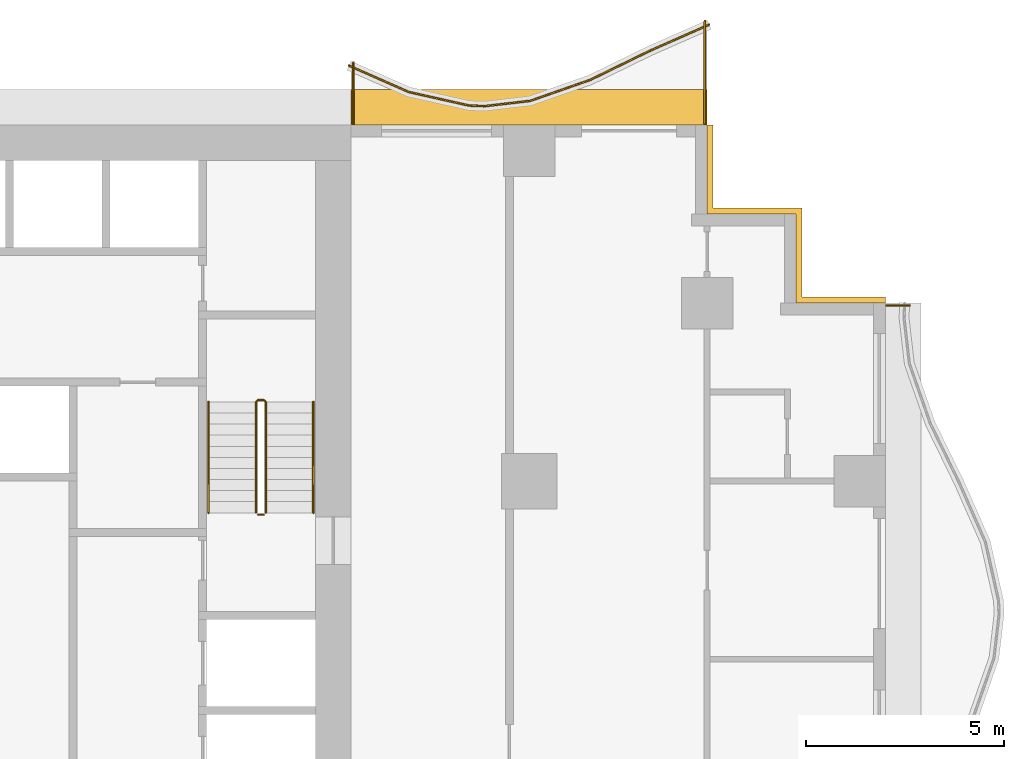
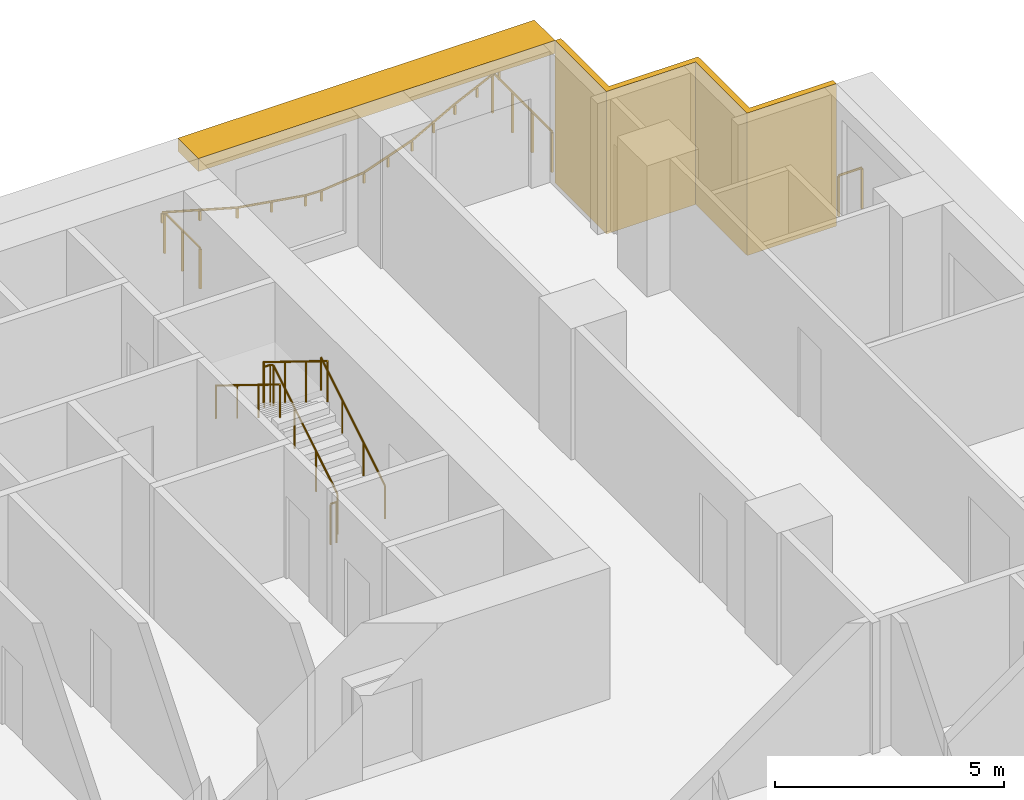
# One storey, part 14 of 14: 8 railings, 2 shading devices.
"""IFC4 building model written with IfcOpenShell, lengths in metres."""

from ifc_helpers import new_model, si_unit, direction, frame, origin, origin_2d, place, context, subcontext, project, spatial, polyline, rectangle, circle, outline, extrude, material, layer, layer_set, type_object, element, save


model = new_model("IFC4")

# Units and contexts
model_context = context("Model", 3, precision=1e-05, world=origin(), true_north=direction((0.0, 1.0)))
body_context = subcontext(model_context, "Body", "Model", "MODEL_VIEW")
ifc_project = project(units=[si_unit("LENGTHUNIT", "METRE"), si_unit("AREAUNIT", "SQUARE_METRE"), si_unit("VOLUMEUNIT", "CUBIC_METRE"), si_unit("PLANEANGLEUNIT", "RADIAN"), si_unit("MASSUNIT", "GRAM", prefix="KILO")], contexts=[model_context])

# Site, building, storey
site_placement = place(None, origin())
site = spatial("IfcSite", under=ifc_project, at=site_placement, CompositionType="ELEMENT")
building_placement = place(site_placement, origin())
building = spatial("IfcBuilding", under=site, at=building_placement, Name="Orbiselva Terraces", CompositionType="ELEMENT")
storey_placement = place(building_placement, frame((0.0, 0.0, 88.4)))
storey = spatial("IfcBuildingStorey", under=building, at=storey_placement, Name="L22", CompositionType="ELEMENT", Elevation=88.4)

# Railings
ifc_material_1 = material(Name="Stainless steel", Category="steel")
railing_type_1 = type_object("IfcRailingType", Name="CORE-GUARD-1100", PredefinedType="GUARDRAIL", material=ifc_material_1)
railing_1_placement = place(storey_placement, frame((11.35, 12.7, 0.172727)))
element("IfcRailing", 1, at=railing_1_placement, inside=storey, type_object=railing_type_1, Name="L22 S2 stair guard 1", PredefinedType="GUARDRAIL", context=body_context, shape_type="SweptSolid", body=[
    extrude(circle(Radius=0.024, at=origin_2d()), frame((0.0, 0.0, 1.081), z_axis=(0.0, 0.851088519012, 0.52502222125), x_axis=(-1.0, 0.0, 0.0)), (0.0, 0.0, 1.0), 3.289905),
    extrude(circle(Radius=0.024, at=origin_2d()), frame((0.0, 2.8, 2.808273), z_axis=(-0.707106781187, 0.707106781187, 0.0), x_axis=(-0.707106781187, -0.707106781187, 0.0)), (0.0, 0.0, 1.0), 0.070711),
    extrude(circle(Radius=0.024, at=origin_2d()), frame((-0.05, 2.85, 2.808273), z_axis=(-1.0, 0.0, 0.0), x_axis=(0.0, -1.0, 0.0)), (0.0, 0.0, 1.0), 0.15),
    extrude(circle(Radius=0.024, at=origin_2d()), frame((-0.2, 2.85, 2.808273), z_axis=(-0.267894925557, -0.267894925557, 0.925453736133), x_axis=(0.707106781187, -0.707106781187, 0.0)), (0.0, 0.0, 1.0), 0.18664),
    extrude(circle(Radius=0.024, at=origin_2d()), frame((-0.25, 2.8, 2.981), z_axis=(0.0, -0.851088519012, 0.52502222125), x_axis=(1.0, 0.0, 0.0)), (0.0, 0.0, 1.0), 3.289905),
    extrude(circle(Radius=0.021, at=origin_2d()), origin(), (0.0, 0.0, 1.0), 1.057),
    extrude(circle(Radius=0.021, at=origin_2d()), frame((0.0, 0.933333, 0.575758)), (0.0, 0.0, 1.0), 1.057),
    extrude(circle(Radius=0.021, at=origin_2d()), frame((0.0, 1.866667, 1.151515)), (0.0, 0.0, 1.0), 1.057),
    extrude(circle(Radius=0.021, at=origin_2d()), frame((0.0, 2.8, 1.727273)), (0.0, 0.0, 1.0), 1.057),
    extrude(circle(Radius=0.021, at=origin_2d()), frame((-0.05, 2.85, 1.727273)), (0.0, 0.0, 1.0), 1.057),
    extrude(circle(Radius=0.021, at=origin_2d()), frame((-0.2, 2.85, 1.727273)), (0.0, 0.0, 1.0), 1.057),
    extrude(circle(Radius=0.021, at=origin_2d()), frame((-0.25, 2.8, 1.9)), (0.0, 0.0, 1.0), 1.057),
    extrude(circle(Radius=0.021, at=origin_2d()), frame((-0.25, 1.866667, 2.475758)), (0.0, 0.0, 1.0), 1.057),
    extrude(circle(Radius=0.021, at=origin_2d()), frame((-0.25, 0.933333, 3.051515)), (0.0, 0.0, 1.0), 1.057),
    extrude(circle(Radius=0.021, at=origin_2d()), frame((-0.25, 0.0, 3.627273)), (0.0, 0.0, 1.0), 1.057),
])
railing_2_placement = place(storey_placement, frame((11.3, 12.65, 0.0)))
element("IfcRailing", 2, at=railing_2_placement, inside=storey, type_object=railing_type_1, Name="L22 S2 stair guard 2", PredefinedType="GUARDRAIL", context=body_context, shape_type="SweptSolid", body=[
    extrude(circle(Radius=0.024, at=origin_2d()), frame((0.0, 0.0, 1.081), z_axis=(-1.0, 0.0, 0.0), x_axis=(0.0, -1.0, 0.0)), (0.0, 0.0, 1.0), 0.15),
    extrude(circle(Radius=0.021, at=origin_2d()), origin(), (0.0, 0.0, 1.0), 1.057),
    extrude(circle(Radius=0.021, at=origin_2d()), frame((-0.15, 0.0, 0.0)), (0.0, 0.0, 1.0), 1.057),
])
railing_type_2 = type_object("IfcRailingType", Name="CORE-HANDRAIL-900", PredefinedType="HANDRAIL", material=ifc_material_1)
railing_3_placement = place(storey_placement, frame((12.55, 12.7, 0.172727)))
element("IfcRailing", 3, at=railing_3_placement, inside=storey, type_object=railing_type_2, Name="L22 S2 stair handrail 1", PredefinedType="HANDRAIL", context=body_context, shape_type="SweptSolid", body=[
    extrude(circle(Radius=0.024, at=origin_2d()), frame((0.0, 0.0, 0.876), z_axis=(0.0, 0.851088519012, 0.52502222125), x_axis=(-1.0, 0.0, 0.0)), (0.0, 0.0, 1.0), 3.289905),
    extrude(circle(Radius=0.021, at=origin_2d()), origin(), (0.0, 0.0, 1.0), 0.852),
    extrude(circle(Radius=0.021, at=origin_2d()), frame((0.0, 0.933333, 0.575758)), (0.0, 0.0, 1.0), 0.852),
    extrude(circle(Radius=0.021, at=origin_2d()), frame((0.0, 1.866667, 1.151515)), (0.0, 0.0, 1.0), 0.852),
    extrude(circle(Radius=0.021, at=origin_2d()), frame((0.0, 2.8, 1.727273)), (0.0, 0.0, 1.0), 0.852),
])
railing_4_placement = place(storey_placement, frame((9.9, 15.5, 2.072727)))
element("IfcRailing", 4, at=railing_4_placement, inside=storey, type_object=railing_type_2, Name="L22 S2 stair handrail 2", PredefinedType="HANDRAIL", context=body_context, shape_type="SweptSolid", body=[
    extrude(circle(Radius=0.024, at=origin_2d()), frame((0.0, 0.0, 0.876), z_axis=(0.0, -0.851088519012, 0.52502222125), x_axis=(1.0, 0.0, 0.0)), (0.0, 0.0, 1.0), 3.289905),
    extrude(circle(Radius=0.021, at=origin_2d()), origin(), (0.0, 0.0, 1.0), 0.852),
    extrude(circle(Radius=0.021, at=origin_2d()), frame((0.0, -0.933333, 0.575758)), (0.0, 0.0, 1.0), 0.852),
    extrude(circle(Radius=0.021, at=origin_2d()), frame((0.0, -1.866667, 1.151515)), (0.0, 0.0, 1.0), 0.852),
    extrude(circle(Radius=0.021, at=origin_2d()), frame((0.0, -2.8, 1.727273)), (0.0, 0.0, 1.0), 0.852),
])
ifc_material_2 = material(Name="Bonded two-ply safety glass balustrade, stainless steel posts", Category="steel")
railing_type_3 = type_object("IfcRailingType", Name="ENV-BALUSTRADE-1200", PredefinedType="BALUSTRADE", material=ifc_material_2)
railing_5_placement = place(storey_placement, frame((22.550394, 25.034136, 0.9)))
element("IfcRailing", 5, at=railing_5_placement, inside=storey, type_object=railing_type_3, Name="Balcony balustrade L22 NE", PredefinedType="BALUSTRADE", context=body_context, shape_type="SweptSolid", body=[
    extrude(outline(polyline([(0.028868, 0.0), (0.014434, 0.025), (-0.014434, 0.025), (-0.028868, 0.0), (-0.014434, -0.025), (0.014434, -0.025), (0.028868, 0.0)])), frame((0.0, 0.0, 0.275), z_axis=(-0.915133498047, -0.403150940408, 0.0), x_axis=(0.403150940408, -0.915133498047, 0.0)), (0.0, 0.0, 1.0), 1.636648),
    extrude(outline(polyline([(0.028868, 0.0), (0.014434, 0.025), (-0.014434, 0.025), (-0.028868, 0.0), (-0.014434, -0.025), (0.014434, -0.025), (0.028868, 0.0)])), frame((-1.497751, -0.659816, 0.275), z_axis=(-0.898578870221, -0.438812048596, 0.0), x_axis=(0.438812048596, -0.898578870221, 0.0)), (0.0, 0.0, 1.0), 1.674225),
    extrude(outline(polyline([(0.028868, 0.0), (0.014434, 0.025), (-0.014434, 0.025), (-0.028868, 0.0), (-0.014434, -0.025), (0.014434, -0.025), (0.028868, 0.0)])), frame((-3.002174, -1.394486, 0.275), z_axis=(-0.943972332783, -0.330024597479, 0.0), x_axis=(0.330024597479, -0.943972332783, 0.0)), (0.0, 0.0, 1.0), 1.610253),
    extrude(outline(polyline([(0.028868, 0.0), (0.014434, 0.025), (-0.014434, 0.025), (-0.028868, 0.0), (-0.014434, -0.025), (0.014434, -0.025), (0.028868, 0.0)])), frame((-4.522208, -1.925909, 0.275), z_axis=(-0.993309551734, -0.115482182324, 0.0), x_axis=(0.115482182324, -0.993309551734, 0.0)), (0.0, 0.0, 1.0), 1.156135),
    extrude(outline(polyline([(0.028868, 0.0), (0.014434, 0.025), (-0.014434, 0.025), (-0.028868, 0.0), (-0.014434, -0.025), (0.014434, -0.025), (0.028868, 0.0)])), frame((-5.670608, -2.059422, 0.275), z_axis=(-0.999224734286, 0.03936915532, 0.0), x_axis=(-0.03936915532, -0.999224734286, 0.0)), (0.0, 0.0, 1.0), 0.396376),
    extrude(outline(polyline([(0.028868, 0.0), (0.014434, 0.025), (-0.014434, 0.025), (-0.028868, 0.0), (-0.014434, -0.025), (0.014434, -0.025), (0.028868, 0.0)])), frame((-6.066677, -2.043817, 0.275), z_axis=(-0.97572137947, 0.219015500924, 0.0), x_axis=(-0.219015500924, -0.97572137947, 0.0)), (0.0, 0.0, 1.0), 1.560867),
    extrude(outline(polyline([(0.028868, 0.0), (0.014434, 0.025), (-0.014434, 0.025), (-0.028868, 0.0), (-0.014434, -0.025), (0.014434, -0.025), (0.028868, 0.0)])), frame((-7.589648, -1.701963, 0.275), z_axis=(-0.915133578754, 0.403150757208, 0.0), x_axis=(-0.403150757208, -0.915133578754, 0.0)), (0.0, 0.0, 1.0), 1.651278),
    extrude(rectangle(XDim=0.05, YDim=0.05, at=origin_2d()), origin(), (0.0, 0.0, 1.0), 0.25),
    extrude(rectangle(XDim=0.05, YDim=0.05, at=origin_2d()), frame((-0.748876, -0.329908, 0.0)), (0.0, 0.0, 1.0), 0.25),
    extrude(rectangle(XDim=0.05, YDim=0.05, at=origin_2d()), frame((-1.497751, -0.659816, 0.0)), (0.0, 0.0, 1.0), 0.25),
    extrude(rectangle(XDim=0.05, YDim=0.05, at=origin_2d()), frame((-2.249963, -1.027151, 0.0)), (0.0, 0.0, 1.0), 0.25),
    extrude(rectangle(XDim=0.05, YDim=0.05, at=origin_2d()), frame((-3.002174, -1.394486, 0.0)), (0.0, 0.0, 1.0), 0.25),
    extrude(rectangle(XDim=0.05, YDim=0.05, at=origin_2d()), frame((-3.762191, -1.660198, 0.0)), (0.0, 0.0, 1.0), 0.25),
    extrude(rectangle(XDim=0.05, YDim=0.05, at=origin_2d()), frame((-4.522208, -1.925909, 0.0)), (0.0, 0.0, 1.0), 0.25),
    extrude(rectangle(XDim=0.05, YDim=0.05, at=origin_2d()), frame((-5.670608, -2.059422, 0.0)), (0.0, 0.0, 1.0), 0.25),
    extrude(rectangle(XDim=0.05, YDim=0.05, at=origin_2d()), frame((-6.066677, -2.043817, 0.0)), (0.0, 0.0, 1.0), 0.25),
    extrude(rectangle(XDim=0.05, YDim=0.05, at=origin_2d()), frame((-6.828163, -1.87289, 0.0)), (0.0, 0.0, 1.0), 0.25),
    extrude(rectangle(XDim=0.05, YDim=0.05, at=origin_2d()), frame((-7.589648, -1.701963, 0.0)), (0.0, 0.0, 1.0), 0.25),
    extrude(rectangle(XDim=0.05, YDim=0.05, at=origin_2d()), frame((-8.345218, -1.369106, 0.0)), (0.0, 0.0, 1.0), 0.25),
    extrude(rectangle(XDim=0.05, YDim=0.05, at=origin_2d()), frame((-9.100788, -1.036249, 0.0)), (0.0, 0.0, 1.0), 0.25),
])
ifc_material_3 = material(Name="Stainless steel rail and posts", Category="steel")
railing_type_4 = type_object("IfcRailingType", Name="ENV-GUARD-1105", PredefinedType="BALUSTRADE", material=ifc_material_3)
railing_6_placement = place(storey_placement, frame((27.610431, 17.94, 0.0)))
element("IfcRailing", 6, at=railing_6_placement, inside=storey, type_object=railing_type_4, Name="Balcony end guard L22 E", PredefinedType="BALUSTRADE", context=body_context, shape_type="SweptSolid", body=[
    extrude(outline(polyline([(0.028868, 0.0), (0.014434, 0.025), (-0.014434, 0.025), (-0.028868, 0.0), (-0.014434, -0.025), (0.014434, -0.025), (0.028868, 0.0)])), frame((0.0, 0.0, 1.08), z_axis=(-1.0, 0.0, 0.0), x_axis=(0.0, -1.0, 0.0)), (0.0, 0.0, 1.0), 0.585431),
    extrude(rectangle(XDim=0.05, YDim=0.05, at=origin_2d()), origin(), (0.0, 0.0, 1.0), 1.055),
    extrude(rectangle(XDim=0.05, YDim=0.05, at=origin_2d()), frame((-0.585431, 0.0, 0.0)), (0.0, 0.0, 1.0), 1.055),
])
railing_7_placement = place(storey_placement, frame((22.44, 25.126937, 0.0)))
element("IfcRailing", 7, at=railing_7_placement, inside=storey, type_object=railing_type_4, Name="Balcony end guard L22 NE", PredefinedType="BALUSTRADE", context=body_context, shape_type="SweptSolid", body=[
    extrude(outline(polyline([(0.028868, 0.0), (0.014434, 0.025), (-0.014434, 0.025), (-0.028868, 0.0), (-0.014434, -0.025), (0.014434, -0.025), (0.028868, 0.0)])), frame((0.0, 0.0, 1.08), z_axis=(0.0, -1.0, 0.0), x_axis=(1.0, 0.0, 0.0)), (0.0, 0.0, 1.0), 2.601937),
    extrude(rectangle(XDim=0.05, YDim=0.05, at=origin_2d()), origin(), (0.0, 0.0, 1.0), 1.055),
    extrude(rectangle(XDim=0.05, YDim=0.05, at=origin_2d()), frame((0.0, -0.867312, 0.0)), (0.0, 0.0, 1.0), 1.055),
    extrude(rectangle(XDim=0.05, YDim=0.05, at=origin_2d()), frame((0.0, -1.734625, 0.0)), (0.0, 0.0, 1.0), 1.055),
    extrude(rectangle(XDim=0.05, YDim=0.05, at=origin_2d()), frame((0.0, -2.601937, 0.0)), (0.0, 0.0, 1.0), 1.055),
])
railing_8_placement = place(storey_placement, frame((13.56, 24.082553, 0.0)))
element("IfcRailing", 8, at=railing_8_placement, inside=storey, type_object=railing_type_4, Name="Balcony end guard L22 NE", PredefinedType="BALUSTRADE", context=body_context, shape_type="SweptSolid", body=[
    extrude(outline(polyline([(0.028868, 0.0), (0.014434, 0.025), (-0.014434, 0.025), (-0.028868, 0.0), (-0.014434, -0.025), (0.014434, -0.025), (0.028868, 0.0)])), frame((0.0, 0.0, 1.08), z_axis=(0.0, -1.0, 0.0), x_axis=(1.0, 0.0, 0.0)), (0.0, 0.0, 1.0), 1.557553),
    extrude(rectangle(XDim=0.05, YDim=0.05, at=origin_2d()), origin(), (0.0, 0.0, 1.0), 1.055),
    extrude(rectangle(XDim=0.05, YDim=0.05, at=origin_2d()), frame((0.0, -0.778777, 0.0)), (0.0, 0.0, 1.0), 1.055),
    extrude(rectangle(XDim=0.05, YDim=0.05, at=origin_2d()), frame((0.0, -1.557553, 0.0)), (0.0, 0.0, 1.0), 1.055),
])

# Shading devices
ifc_material_4 = material(Name="Terracotta louvre screen", Category="masonry")
ifc_layer_1 = layer(ifc_material_4, 0.15)
ifc_layer_set_1 = layer_set([ifc_layer_1], Name="Terracotta louvre screen")
shading_device_type_1 = type_object("IfcShadingDeviceType", Name="ENV-SCREEN-150", PredefinedType="USERDEFINED", material=ifc_layer_set_1)
shading_device_1_placement = place(storey_placement, frame((0.0, 0.0, -0.3)))
element("IfcShadingDevice", 9, at=shading_device_1_placement, inside=storey, type_object=shading_device_type_1, Name="Louvre screen L22 NE", ObjectType="SCREEN", PredefinedType="USERDEFINED", context=body_context, shape_type="SweptSolid", body=[
    extrude(outline(polyline([(27.0, 18.15), (24.9, 18.15), (24.9, 20.4), (22.65, 20.4), (22.65, 22.5), (22.5, 22.5), (22.5, 20.25), (24.75, 20.25), (24.75, 18.0), (27.0, 18.0), (27.0, 18.15)])), origin(), (0.0, 0.0, 1.0), 3.8),
])
ifc_material_5 = material(Name="Terracotta baguette sunshade", Category="masonry")
ifc_layer_2 = layer(ifc_material_5, 0.35)
ifc_layer_set_2 = layer_set([ifc_layer_2], Name="Terracotta baguette sunshade")
shading_device_type_2 = type_object("IfcShadingDeviceType", Name="ENV-SUNSHADE-900x350", PredefinedType="USERDEFINED", material=ifc_layer_set_2)
shading_device_2_placement = place(storey_placement, frame((0.0, 0.0, 3.15)))
element("IfcShadingDevice", 10, at=shading_device_2_placement, inside=storey, type_object=shading_device_type_2, Name="Sunshade band L22 NE", ObjectType="SUNSHADE", PredefinedType="USERDEFINED", context=body_context, shape_type="SweptSolid", body=[
    extrude(outline(polyline([(22.5, 23.4), (13.5, 23.4), (13.5, 22.5), (22.5, 22.5), (22.5, 23.4)])), origin(), (0.0, 0.0, 1.0), 0.35),
])

save(model, "model.ifc")
